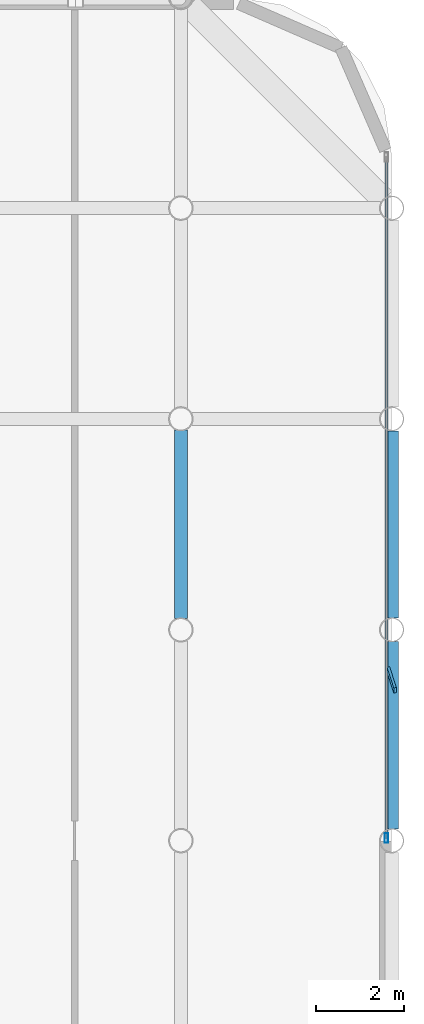
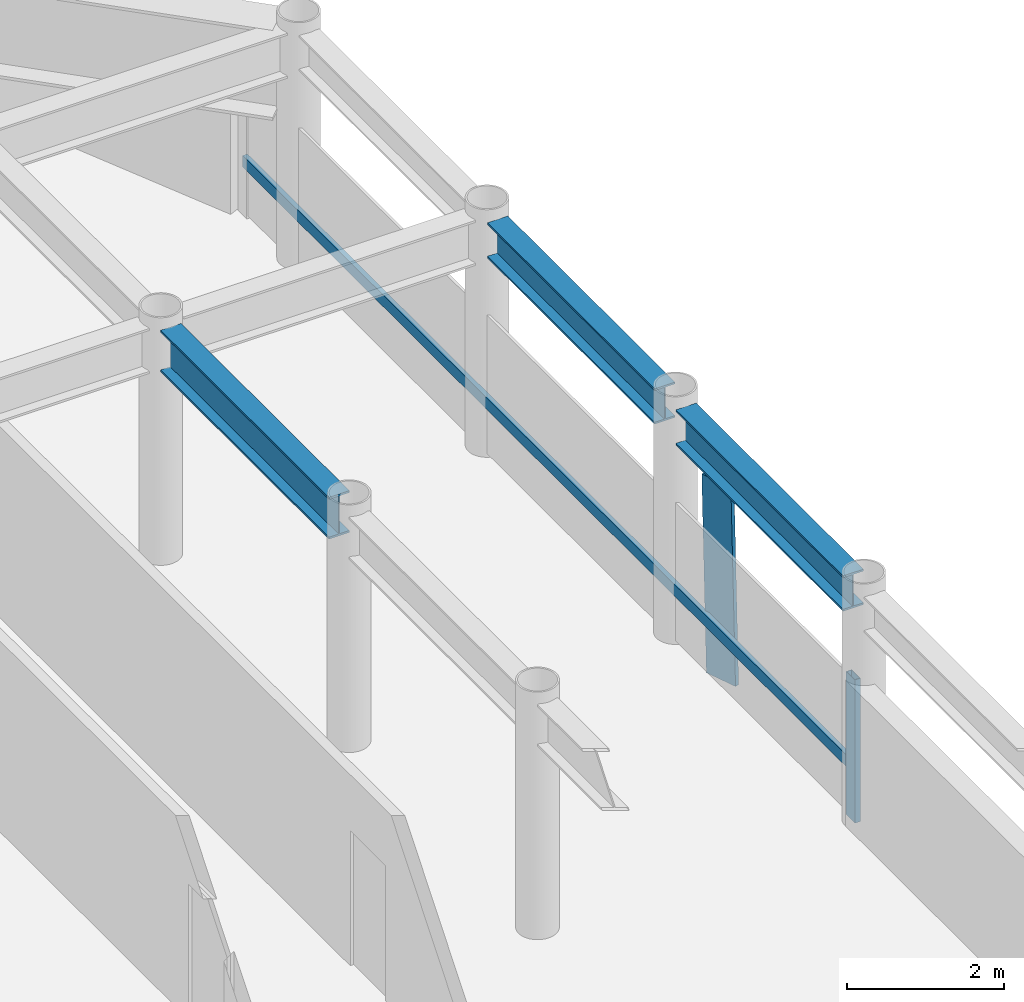
# One storey, part 10 of 23: 3 beams, 3 members, 1 element without a shape of its own.
"""IFC4 building model written with IfcOpenShell, lengths in metres."""

from ifc_helpers import new_model, si_unit, direction, frame, origin, origin_2d, place, context, subcontext, project, spatial, rectangle, hollow_rectangle, i_section, extrude, material, layer, layer_set, material_profile, profile_set, type_object, element, aggregate, save


model = new_model("IFC4")

# Units and contexts
model_context = context("Model", 3, precision=1e-05, world=origin(), true_north=direction((0.0, 1.0)))
body_context = subcontext(model_context, "Body", "Model", "MODEL_VIEW")
ifc_project = project(units=[si_unit("LENGTHUNIT", "METRE"), si_unit("AREAUNIT", "SQUARE_METRE"), si_unit("VOLUMEUNIT", "CUBIC_METRE"), si_unit("PLANEANGLEUNIT", "RADIAN"), si_unit("MASSUNIT", "GRAM", prefix="KILO")], contexts=[model_context])

# Site, building, storey
site_placement = place(None, origin())
site = spatial("IfcSite", under=ifc_project, at=site_placement, CompositionType="ELEMENT")
building_placement = place(site_placement, origin())
building = spatial("IfcBuilding", under=site, at=building_placement, Name="Kallvorn Hotel Tower", CompositionType="ELEMENT")
storey_placement = place(building_placement, frame((0.0, 0.0, 195.35009765625)))
storey = spatial("IfcBuildingStorey", under=building, at=storey_placement, Name="L48", CompositionType="ELEMENT", Elevation=195.35009765625)

# Beams
ifc_material_1 = material(Name="Structural steel S355JR", Category="steel")
ifc_material_profile_1 = material_profile(ifc_material_1, i_section(OverallWidth=0.300048828125, OverallDepth=0.550048828125, WebThickness=0.014892578125, FlangeThickness=0.029052734375, at=origin_2d()), Name="HE 550 B")
ifc_profile_set_1 = profile_set([ifc_material_profile_1], Name="Structural steel S355JR")
beam_type_1 = type_object("IfcBeamType", Name="BM_HE550B", PredefinedType="SPANDREL", material=ifc_profile_set_1)
for number, where, z_axis, x_axis, name in (
    (1, (33.60009765625, 0.26953125, 3.39501953125), (0.0, 1.0, 0.0), (-1.0, 0.0, 0.0), "L49 Perimeter Spandrel 186"),
    (2, (33.60009765625, 5.069580078125, 3.39501953125), (0.0, 1.0, 0.0), (-1.0, 0.0, 0.0), "L49 Perimeter Spandrel 187"),
):
    element("IfcBeam", number, at=place(storey_placement, frame(where, z_axis=z_axis, x_axis=x_axis)), inside=storey, type_object=beam_type_1, Name=name, PredefinedType="SPANDREL", context=body_context, shape_type="SweptSolid", body=[
        extrude(i_section(OverallWidth=0.300048828125, OverallDepth=0.550048828125, WebThickness=0.014892578125, FlangeThickness=0.029052734375, at=origin_2d()), origin(), (0.0, 0.0, 1.0), 4.260986328125),
    ])
ifc_material_2 = material(Name="Structural steel S355JR", Category="steel")
ifc_material_profile_2 = material_profile(ifc_material_2, i_section(OverallWidth=0.300048828125, OverallDepth=0.64990234375, WebThickness=0.01611328125, FlangeThickness=0.031005859375, at=origin_2d()), Name="HE 650 B")
ifc_profile_set_2 = profile_set([ifc_material_profile_2], Name="Structural steel S355JR")
beam_type_2 = type_object("IfcBeamType", Name="BM_HE650B", PredefinedType="BEAM", material=ifc_profile_set_2)
beam_placement = place(storey_placement, frame((28.800048828125, 5.054443359375, 3.344970703125), z_axis=(0.0, 1.0, 0.0), x_axis=(-1.0, 0.0, 0.0)))
element("IfcBeam", 3, at=beam_placement, inside=storey, type_object=beam_type_2, Name="L49 Primary Y-Girder 148", PredefinedType="BEAM", context=body_context, shape_type="SweptSolid", body=[
    extrude(i_section(OverallWidth=0.300048828125, OverallDepth=0.64990234375, WebThickness=0.01611328125, FlangeThickness=0.031005859375, at=origin_2d()), origin(), (0.0, 0.0, 1.0), 4.291015625),
])

# Curtain wall, members
ifc_material_3 = material(Name="Thermally broken black-anodised aluminium AA 6063-T6", Category="aluminium")
ifc_layer = layer(ifc_material_3, 0.22998046875)
ifc_layer_set = layer_set([ifc_layer], Name="CW_SYS_5_HOTEL_HIGH")
curtain_wall_type = type_object("IfcCurtainWallType", Name="CW_SYS_5_HOTEL_HIGH", PredefinedType="USERDEFINED", material=ifc_layer_set)
curtain_wall_placement = place(storey_placement, origin())
curtain_wall = element("IfcCurtainWall", 4, at=curtain_wall_placement, inside=storey, type_object=curtain_wall_type, Name="L48 Dark-Glass Curtain Wall CW-L48-EN", ObjectType="UNITISED CURTAIN WALL", PredefinedType="USERDEFINED")
ifc_material_4 = material(Name="Thermally broken black-anodised aluminium AA 6063-T6", Category="aluminium")
ifc_material_profile_3 = material_profile(ifc_material_4, hollow_rectangle(XDim=0.080078125, YDim=0.219970703125, WallThickness=0.0048828125, at=origin_2d()), Name="MUL 220x80")
ifc_profile_set_3 = profile_set([ifc_material_profile_3], Name="Thermally broken black-anodised aluminium AA 6063-T6")
member_type_1 = type_object("IfcMemberType", Name="CW_MULLION_220x80", PredefinedType="MULLION", material=ifc_profile_set_3)
member_1_placement = place(storey_placement, frame((33.47998046875, 0.06005859375, 0.02001953125), z_axis=(0.0, 0.0, 1.0), x_axis=(1.0, 0.0, 0.0)))
member_1 = element("IfcMember", 5, at=member_1_placement, type_object=member_type_1, Name="CW-L48-EN Mullion 00", PredefinedType="MULLION", context=body_context, shape_type="SweptSolid", body=[
    extrude(hollow_rectangle(XDim=0.080078125, YDim=0.219970703125, WallThickness=0.0048828125, at=origin_2d()), origin(), (0.0, 0.0, 1.0), 2.22998046875),
])
ifc_material_5 = material(Name="Thermally broken black-anodised aluminium AA 6063-T6", Category="aluminium")
ifc_material_profile_4 = material_profile(ifc_material_5, hollow_rectangle(XDim=0.070068359375, YDim=0.179931640625, WallThickness=0.00390625, at=origin_2d()), Name="TRN 180x70")
ifc_profile_set_4 = profile_set([ifc_material_profile_4], Name="Thermally broken black-anodised aluminium AA 6063-T6")
member_type_2 = type_object("IfcMemberType", Name="CW_TRANSOM_180x70", PredefinedType="USERDEFINED", material=ifc_profile_set_4)
member_2_placement = place(storey_placement, frame((33.47998046875, 0.06005859375, 0.849853515625), z_axis=(0.0, 1.0, 0.0), x_axis=(-1.0, 0.0, 0.0)))
member_2 = element("IfcMember", 6, at=member_2_placement, type_object=member_type_2, Name="CW-L48-EN Transom 00M", ObjectType="TRANSOM", PredefinedType="USERDEFINED", context=body_context, shape_type="SweptSolid", body=[
    extrude(hollow_rectangle(XDim=0.070068359375, YDim=0.179931640625, WallThickness=0.00390625, at=origin_2d()), origin(), (0.0, 0.0, 1.0), 15.5),
])
aggregate(curtain_wall, [member_1, member_2])

# Member
ifc_material_6 = material(Name="Thermally broken black-anodised aluminium AA 6063-T6", Category="aluminium")
ifc_material_profile_5 = material_profile(ifc_material_6, rectangle(XDim=0.06005859375, YDim=0.5, at=origin_2d()), Name="FIN 500x60")
ifc_profile_set_5 = profile_set([ifc_material_profile_5], Name="Thermally broken black-anodised aluminium AA 6063-T6")
member_type_3 = type_object("IfcMemberType", Name="MBR_SUNSHADE_FIN", PredefinedType="USERDEFINED", material=ifc_profile_set_5)
member_3_placement = place(storey_placement, frame((33.60009765625, 3.60009765625, 0.0), z_axis=(0.0, 0.038935691859, 0.999241718454), x_axis=(-0.951056516295, -0.308782672491, 0.012031790472)))
element("IfcMember", 7, at=member_3_placement, inside=storey, type_object=member_type_3, Name="L48 Angled Vertical Sunshade Fin E1", ObjectType="SUNSHADE FIN", PredefinedType="USERDEFINED", context=body_context, shape_type="SweptSolid", body=[
    extrude(rectangle(XDim=0.06005859375, YDim=0.5, at=origin_2d()), origin(), (0.0, 0.0, 1.0), 3.022216796875),
])

save(model, "model.ifc")
